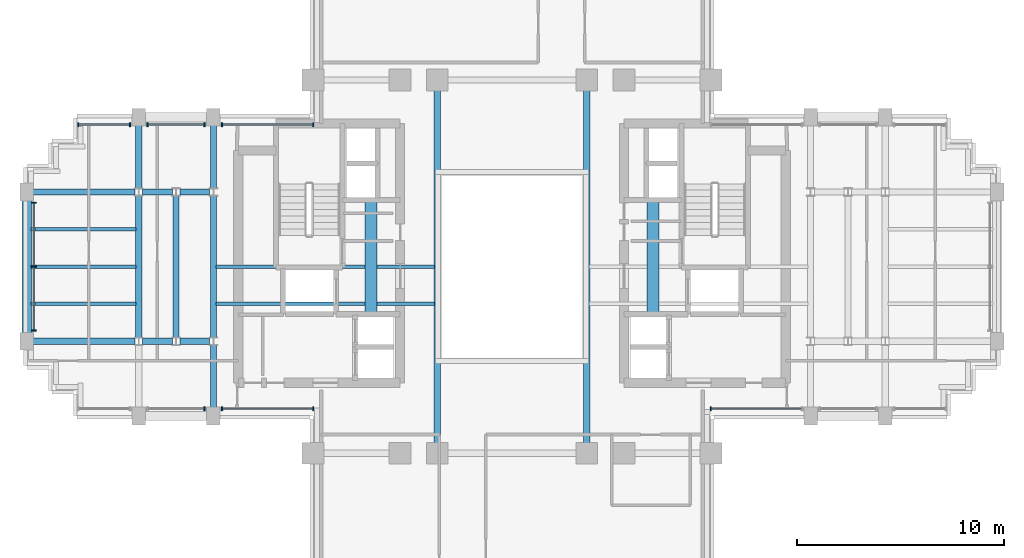
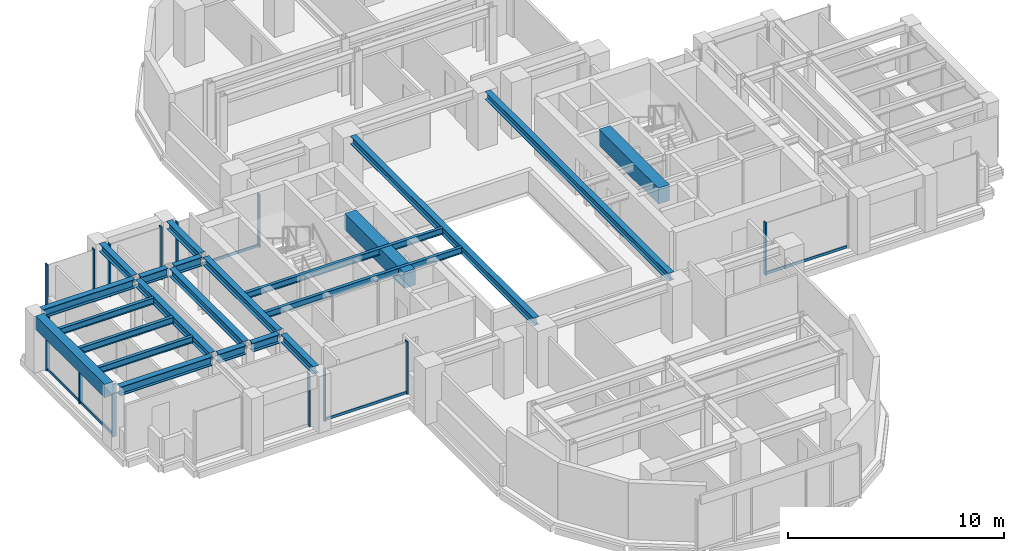
# One storey, part 4 of 14: 22 beams, 20 members, 7 elements without a shape of their own.
"""IFC4 building model written with IfcOpenShell, lengths in metres."""

from ifc_helpers import new_model, si_unit, direction, frame, origin, origin_2d, place, context, subcontext, project, spatial, rectangle, i_section, extrude, source, transform, mapped, material, material_profile, profile_set, type_object, element, aggregate, save


model = new_model("IFC4")

# Units and contexts
model_context = context("Model", 3, precision=1e-05, world=origin(), true_north=direction((0.0, 1.0)))
body_context = subcontext(model_context, "Body", "Model", "MODEL_VIEW")
ifc_project = project(units=[si_unit("LENGTHUNIT", "METRE"), si_unit("AREAUNIT", "SQUARE_METRE"), si_unit("VOLUMEUNIT", "CUBIC_METRE"), si_unit("PLANEANGLEUNIT", "RADIAN"), si_unit("MASSUNIT", "GRAM", prefix="KILO")], contexts=[model_context])

# Site, building, storey
site_placement = place(None, origin())
site = spatial("IfcSite", under=ifc_project, at=site_placement, CompositionType="ELEMENT")
building_placement = place(site_placement, origin())
building = spatial("IfcBuilding", under=site, at=building_placement, Name="Keilestroom Media Tower", CompositionType="ELEMENT")
storey_placement = place(building_placement, frame((0.0, 0.0, 124.39990234375)))
storey = spatial("IfcBuildingStorey", under=building, at=storey_placement, Name="L33", CompositionType="ELEMENT", Elevation=124.39990234375)

# Beams
ifc_material_1 = material(Name="Concrete C70/85", Category="concrete")
ifc_material_profile_1 = material_profile(ifc_material_1, rectangle(XDim=0.60009765625, YDim=0.89990234375, at=origin_2d()), Name="RC 600x900")
ifc_profile_set_1 = profile_set([ifc_material_profile_1], Name="Concrete C70/85")
beam_type_1 = type_object("IfcBeamType", Name="Core-Coupling-Lintel-Beam-RC-600x900", PredefinedType="LINTEL", material=ifc_profile_set_1)
shared_shape_1 = source(origin(), body_context, "Body", "SweptSolid", [
    extrude(rectangle(XDim=0.60009765625, YDim=0.89990234375, at=origin_2d()), origin(), (0.0, 0.0, 1.0), 5.52001953125),
])
for number, where, z_axis, x_axis, name in (
    (1, (-6.800048828125, -2.300048828125, 2.75), (0.0, 1.0, 0.0), (-1.0, 0.0, 0.0), "L33 Beam CLB-1 CLB-L33-W"),
    (2, (6.800048828125, -2.300048828125, 2.75), (0.0, 1.0, 0.0), (-1.0, 0.0, 0.0), "L33 Beam CLB-1 CLB-L33-E"),
):
    element("IfcBeam", number, at=place(storey_placement, frame(where, z_axis=z_axis, x_axis=x_axis)), inside=storey, type_object=beam_type_1, Name=name, PredefinedType="LINTEL", context=body_context, shape_type="MappedRepresentation", body=[
        mapped(shared_shape_1, transform((0.0, 0.0, 0.0), x_axis=(1.0, 0.0, 0.0), y_axis=(0.0, 1.0, 0.0), z_axis=(0.0, 0.0, 1.0), scale=1.0)),
    ])
ifc_material_2 = material(Name="Steel S355", Category="steel")
ifc_material_profile_2 = material_profile(ifc_material_2, i_section(OverallWidth=0.169921875, OverallDepth=0.360107421875, WebThickness=0.008056640625, FlangeThickness=0.0126953125, at=origin_2d()), Name="IPE 360")
ifc_profile_set_2 = profile_set([ifc_material_profile_2], Name="Steel S355")
beam_type_2 = type_object("IfcBeamType", Name="Secondary-Floor-Joist-IPE-360", PredefinedType="JOIST", material=ifc_profile_set_2)
shared_shape_2 = source(origin(), body_context, "Body", "SweptSolid", [
    extrude(i_section(OverallWidth=0.169921875, OverallDepth=0.360107421875, WebThickness=0.008056640625, FlangeThickness=0.0126953125, at=origin_2d()), origin(), (0.0, 0.0, 1.0), 10.5400390625),
])
for number, where, z_axis, x_axis, name in (
    (3, (-14.27001953125, -1.800048828125, 3.02001953125), (1.0, 0.0, 0.0), (0.0, 1.0, 0.0), "L33 Beam BJ-5 JST-L33-072"),
    (4, (-14.27001953125, 0.0, 3.02001953125), (1.0, 0.0, 0.0), (0.0, 1.0, 0.0), "L33 Beam BJ-5 JST-L33-077"),
):
    element("IfcBeam", number, at=place(storey_placement, frame(where, z_axis=z_axis, x_axis=x_axis)), inside=storey, type_object=beam_type_2, Name=name, PredefinedType="JOIST", context=body_context, shape_type="MappedRepresentation", body=[
        mapped(shared_shape_2, transform((0.0, 0.0, 0.0), x_axis=(1.0, 0.0, 0.0), y_axis=(0.0, 1.0, 0.0), z_axis=(0.0, 0.0, 1.0), scale=1.0)),
    ])
ifc_material_profile_3 = material_profile(ifc_material_2, i_section(OverallWidth=0.300048828125, OverallDepth=0.5, WebThickness=0.012451171875, FlangeThickness=0.028076171875, at=origin_2d()), Name="HEB 500")
ifc_profile_set_3 = profile_set([ifc_material_profile_3], Name="Steel S355")
beam_type_3 = type_object("IfcBeamType", Name="Primary-Structural-Girder-HEB-500", PredefinedType="BEAM", material=ifc_profile_set_3)
shared_shape_3 = source(origin(), body_context, "Body", "SweptSolid", [
    extrude(i_section(OverallWidth=0.300048828125, OverallDepth=0.5, WebThickness=0.012451171875, FlangeThickness=0.028076171875, at=origin_2d()), origin(), (0.0, 0.0, 1.0), 4.91455078125),
])
for number, where, z_axis, x_axis, name in (
    (5, (-23.094970703125, -3.60009765625, 2.9501953125), (1.0, 0.0, 0.0), (0.0, 1.0, 0.0), "L33 Beam BG-6 BM-L33-EW-014"),
    (6, (-23.094970703125, 3.60009765625, 2.9501953125), (1.0, 0.0, 0.0), (0.0, 1.0, 0.0), "L33 Beam BG-6 BM-L33-EW-020"),
):
    element("IfcBeam", number, at=place(storey_placement, frame(where, z_axis=z_axis, x_axis=x_axis)), inside=storey, type_object=beam_type_3, Name=name, PredefinedType="BEAM", context=body_context, shape_type="MappedRepresentation", body=[
        mapped(shared_shape_3, transform((0.0, 0.0, 0.0), x_axis=(1.0, 0.0, 0.0), y_axis=(0.0, 1.0, 0.0), z_axis=(0.0, 0.0, 1.0), scale=1.0)),
    ])
shared_shape_4 = source(origin(), body_context, "Body", "SweptSolid", [
    extrude(i_section(OverallWidth=0.300048828125, OverallDepth=0.5, WebThickness=0.012451171875, FlangeThickness=0.028076171875, at=origin_2d()), origin(), (0.0, 0.0, 1.0), 1.43896484375),
])
for number, where, z_axis, x_axis, name in (
    (7, (-17.819580078125, -3.60009765625, 2.9501953125), (1.0, 0.0, 0.0), (0.0, 1.0, 0.0), "L33 Beam BG-6 BM-L33-EW-015"),
    (8, (-16.01953125, -3.60009765625, 2.9501953125), (1.0, 0.0, 0.0), (0.0, 1.0, 0.0), "L33 Beam BG-6 BM-L33-EW-016"),
    (9, (-17.819580078125, 3.60009765625, 2.9501953125), (1.0, 0.0, 0.0), (0.0, 1.0, 0.0), "L33 Beam BG-6 BM-L33-EW-021"),
    (10, (-16.01953125, 3.60009765625, 2.9501953125), (1.0, 0.0, 0.0), (0.0, 1.0, 0.0), "L33 Beam BG-6 BM-L33-EW-022"),
):
    element("IfcBeam", number, at=place(storey_placement, frame(where, z_axis=z_axis, x_axis=x_axis)), inside=storey, type_object=beam_type_3, Name=name, PredefinedType="BEAM", context=body_context, shape_type="MappedRepresentation", body=[
        mapped(shared_shape_4, transform((0.0, 0.0, 0.0), x_axis=(1.0, 0.0, 0.0), y_axis=(0.0, 1.0, 0.0), z_axis=(0.0, 0.0, 1.0), scale=1.0)),
    ])
ifc_material_3 = material(Name="Precast concrete C40/50", Category="concrete")
ifc_material_profile_4 = material_profile(ifc_material_3, rectangle(XDim=0.449951171875, YDim=0.75, at=origin_2d()), Name="PC 450x750")
ifc_profile_set_4 = profile_set([ifc_material_profile_4], Name="Precast concrete C40/50")
beam_type_4 = type_object("IfcBeamType", Name="Perimeter-Spandrel-Beam-PC-450x750", PredefinedType="SPANDREL", material=ifc_profile_set_4)
shared_shape_5 = source(origin(), body_context, "Body", "SweptSolid", [
    extrude(rectangle(XDim=0.449951171875, YDim=0.75, at=origin_2d()), origin(), (0.0, 0.0, 1.0), 6.39013671875),
])
beam_placement = place(storey_placement, frame((-23.39990234375, -3.195068359375, 2.8251953125), z_axis=(0.0, 1.0, 0.0), x_axis=(-1.0, 0.0, 0.0)))
element("IfcBeam", 11, at=beam_placement, inside=storey, type_object=beam_type_4, Name="L33 Beam SPB-1 BM-L33-NS-039", PredefinedType="SPANDREL", context=body_context, shape_type="MappedRepresentation", body=[
    mapped(shared_shape_5, transform((0.0, 0.0, 0.0), x_axis=(1.0, 0.0, 0.0), y_axis=(0.0, 1.0, 0.0), z_axis=(0.0, 0.0, 1.0), scale=1.0)),
])
shared_shape_6 = source(origin(), body_context, "Body", "SweptSolid", [
    extrude(i_section(OverallWidth=0.169921875, OverallDepth=0.360107421875, WebThickness=0.008056640625, FlangeThickness=0.0126953125, at=origin_2d()), origin(), (0.0, 0.0, 1.0), 5.065185546875),
])
for number, where, z_axis, x_axis, name in (
    (12, (-23.195068359375, -1.800048828125, 3.02001953125), (1.0, 0.0, 0.0), (0.0, 1.0, 0.0), "L33 Beam BJ-5 JST-L33-071"),
    (13, (-23.195068359375, 0.0, 3.02001953125), (1.0, 0.0, 0.0), (0.0, 1.0, 0.0), "L33 Beam BJ-5 JST-L33-076"),
    (14, (-23.195068359375, 1.800048828125, 3.02001953125), (1.0, 0.0, 0.0), (0.0, 1.0, 0.0), "L33 Beam BJ-5 JST-L33-081"),
):
    element("IfcBeam", number, at=place(storey_placement, frame(where, z_axis=z_axis, x_axis=x_axis)), inside=storey, type_object=beam_type_2, Name=name, PredefinedType="JOIST", context=body_context, shape_type="MappedRepresentation", body=[
        mapped(shared_shape_6, transform((0.0, 0.0, 0.0), x_axis=(1.0, 0.0, 0.0), y_axis=(0.0, 1.0, 0.0), z_axis=(0.0, 0.0, 1.0), scale=1.0)),
    ])
ifc_material_profile_5 = material_profile(ifc_material_2, i_section(OverallWidth=0.300048828125, OverallDepth=0.43994140625, WebThickness=0.011474609375, FlangeThickness=0.02099609375, at=origin_2d()), Name="HEA 450")
ifc_profile_set_5 = profile_set([ifc_material_profile_5], Name="Steel S355")
beam_type_5 = type_object("IfcBeamType", Name="Primary-Structural-Girder-HEA-450", PredefinedType="BEAM", material=ifc_profile_set_5)
shared_shape_7 = source(origin(), body_context, "Body", "SweptSolid", [
    extrude(i_section(OverallWidth=0.300048828125, OverallDepth=0.43994140625, WebThickness=0.011474609375, FlangeThickness=0.02099609375, at=origin_2d()), origin(), (0.0, 0.0, 1.0), 3.015380859375),
])
for number, where, z_axis, x_axis, name in (
    (15, (-18.0, 3.779541015625, 2.97998046875), (0.0, 1.0, 0.0), (-1.0, 0.0, 0.0), "L33 Beam BG-11 BM-L33-NS-042"),
    (16, (-14.39990234375, -6.794921875, 2.97998046875), (0.0, 1.0, 0.0), (-1.0, 0.0, 0.0), "L33 Beam BG-11 BM-L33-NS-044"),
    (17, (-14.39990234375, 3.779541015625, 2.97998046875), (0.0, 1.0, 0.0), (-1.0, 0.0, 0.0), "L33 Beam BG-11 BM-L33-NS-046"),
):
    element("IfcBeam", number, at=place(storey_placement, frame(where, z_axis=z_axis, x_axis=x_axis)), inside=storey, type_object=beam_type_5, Name=name, PredefinedType="BEAM", context=body_context, shape_type="MappedRepresentation", body=[
        mapped(shared_shape_7, transform((0.0, 0.0, 0.0), x_axis=(1.0, 0.0, 0.0), y_axis=(0.0, 1.0, 0.0), z_axis=(0.0, 0.0, 1.0), scale=1.0)),
    ])
shared_shape_8 = source(origin(), body_context, "Body", "SweptSolid", [
    extrude(i_section(OverallWidth=0.300048828125, OverallDepth=0.43994140625, WebThickness=0.011474609375, FlangeThickness=0.02099609375, at=origin_2d()), origin(), (0.0, 0.0, 1.0), 6.8408203125),
])
for number, where, z_axis, x_axis, name in (
    (18, (-18.0, -3.42041015625, 2.97998046875), (0.0, 1.0, 0.0), (-1.0, 0.0, 0.0), "L33 Beam BG-11 BM-L33-NS-041"),
    (19, (-16.199951171875, -3.42041015625, 2.97998046875), (0.0, 1.0, 0.0), (-1.0, 0.0, 0.0), "L33 Beam BG-11 BM-L33-NS-043"),
    (20, (-14.39990234375, -3.42041015625, 2.97998046875), (0.0, 1.0, 0.0), (-1.0, 0.0, 0.0), "L33 Beam BG-11 BM-L33-NS-045"),
):
    element("IfcBeam", number, at=place(storey_placement, frame(where, z_axis=z_axis, x_axis=x_axis)), inside=storey, type_object=beam_type_5, Name=name, PredefinedType="BEAM", context=body_context, shape_type="MappedRepresentation", body=[
        mapped(shared_shape_8, transform((0.0, 0.0, 0.0), x_axis=(1.0, 0.0, 0.0), y_axis=(0.0, 1.0, 0.0), z_axis=(0.0, 0.0, 1.0), scale=1.0)),
    ])
shared_shape_9 = source(origin(), body_context, "Body", "SweptSolid", [
    extrude(i_section(OverallWidth=0.300048828125, OverallDepth=0.43994140625, WebThickness=0.011474609375, FlangeThickness=0.02099609375, at=origin_2d()), origin(), (0.0, 0.0, 1.0), 16.990234375),
])
for number, where, z_axis, x_axis, name in (
    (21, (-3.60009765625, -8.4951171875, 2.97998046875), (0.0, 1.0, 0.0), (-1.0, 0.0, 0.0), "L33 Beam BG-11 BM-L33-NS-051"),
    (22, (3.60009765625, -8.4951171875, 2.97998046875), (0.0, 1.0, 0.0), (-1.0, 0.0, 0.0), "L33 Beam BG-11 BM-L33-NS-056"),
):
    element("IfcBeam", number, at=place(storey_placement, frame(where, z_axis=z_axis, x_axis=x_axis)), inside=storey, type_object=beam_type_5, Name=name, PredefinedType="BEAM", context=body_context, shape_type="MappedRepresentation", body=[
        mapped(shared_shape_9, transform((0.0, 0.0, 0.0), x_axis=(1.0, 0.0, 0.0), y_axis=(0.0, 1.0, 0.0), z_axis=(0.0, 0.0, 1.0), scale=1.0)),
    ])

# Curtain wall, members
ifc_material_4 = material(Name="Anodised Aluminium Alloy", Category="aluminium")
curtain_wall_type = type_object("IfcCurtainWallType", Name="Unitised-Curtain-Wall-CW-2", PredefinedType="NOTDEFINED", material=ifc_material_4)
curtain_wall_1_placement = place(storey_placement, origin())
curtain_wall_1 = element("IfcCurtainWall", 23, at=curtain_wall_1_placement, inside=storey, type_object=curtain_wall_type, Name="L33 Curtain Wall CW-2 CW-L33-W-1", PredefinedType="NOTDEFINED")
ifc_material_profile_6 = material_profile(ifc_material_4, rectangle(XDim=0.070068359375, YDim=0.199951171875, at=origin_2d()), Name="ALU MULLION 70x200")
ifc_profile_set_6 = profile_set([ifc_material_profile_6], Name="Anodised Aluminium Alloy")
member_type_1 = type_object("IfcMemberType", Name="Curtain-Wall-Mullion-CW-2", PredefinedType="MULLION", material=ifc_profile_set_6)
shared_shape_10 = source(origin(), body_context, "Body", "SweptSolid", [
    extrude(rectangle(XDim=0.070068359375, YDim=0.199951171875, at=origin_2d()), origin(), (0.0, 0.0, 1.0), 2.97998046875),
])
member_1_placement = place(storey_placement, frame((-23.050048828125, -3.080078125, 0.0), z_axis=(0.0, 0.0, 1.0), x_axis=(0.0, 1.0, 0.0)))
member_1 = element("IfcMember", 24, at=member_1_placement, type_object=member_type_1, Name="CW-2 Mullion 00", PredefinedType="MULLION", context=body_context, shape_type="MappedRepresentation", body=[
    mapped(shared_shape_10, transform((0.0, 0.0, 0.0), x_axis=(1.0, 0.0, 0.0), y_axis=(0.0, 1.0, 0.0), z_axis=(0.0, 0.0, 1.0), scale=1.0)),
])
member_2_placement = place(storey_placement, frame((-23.050048828125, 0.0, 0.0), z_axis=(0.0, 0.0, 1.0), x_axis=(0.0, 1.0, 0.0)))
member_2 = element("IfcMember", 25, at=member_2_placement, type_object=member_type_1, Name="CW-2 Mullion 01", PredefinedType="MULLION", context=body_context, shape_type="MappedRepresentation", body=[
    mapped(shared_shape_10, transform((0.0, 0.0, 0.0), x_axis=(1.0, 0.0, 0.0), y_axis=(0.0, 1.0, 0.0), z_axis=(0.0, 0.0, 1.0), scale=1.0)),
])
member_3_placement = place(storey_placement, frame((-23.050048828125, 3.080078125, 0.0), z_axis=(0.0, 0.0, 1.0), x_axis=(0.0, 1.0, 0.0)))
member_3 = element("IfcMember", 26, at=member_3_placement, type_object=member_type_1, Name="CW-2 Mullion 02", PredefinedType="MULLION", context=body_context, shape_type="MappedRepresentation", body=[
    mapped(shared_shape_10, transform((0.0, 0.0, 0.0), x_axis=(1.0, 0.0, 0.0), y_axis=(0.0, 1.0, 0.0), z_axis=(0.0, 0.0, 1.0), scale=1.0)),
])

curtain_wall_2_placement = place(storey_placement, origin())
curtain_wall_2 = element("IfcCurtainWall", 27, at=curtain_wall_2_placement, inside=storey, type_object=curtain_wall_type, Name="L33 Curtain Wall CW-2 CW-L33-NW-1", PredefinedType="NOTDEFINED")
member_4_placement = place(storey_placement, frame((-20.9150390625, 6.85009765625, 0.0), z_axis=(0.0, 0.0, 1.0), x_axis=(1.0, 0.0, 0.0)))
member_4 = element("IfcMember", 28, at=member_4_placement, type_object=member_type_1, Name="CW-2 Mullion 00", PredefinedType="MULLION", context=body_context, shape_type="MappedRepresentation", body=[
    mapped(shared_shape_10, transform((0.0, 0.0, 0.0), x_axis=(1.0, 0.0, 0.0), y_axis=(0.0, 1.0, 0.0), z_axis=(0.0, 0.0, 1.0), scale=1.0)),
])
member_5_placement = place(storey_placement, frame((-18.419921875, 6.85009765625, 0.0), z_axis=(0.0, 0.0, 1.0), x_axis=(1.0, 0.0, 0.0)))
member_5 = element("IfcMember", 29, at=member_5_placement, type_object=member_type_1, Name="CW-2 Mullion 01", PredefinedType="MULLION", context=body_context, shape_type="MappedRepresentation", body=[
    mapped(shared_shape_10, transform((0.0, 0.0, 0.0), x_axis=(1.0, 0.0, 0.0), y_axis=(0.0, 1.0, 0.0), z_axis=(0.0, 0.0, 1.0), scale=1.0)),
])

curtain_wall_3_placement = place(storey_placement, origin())
curtain_wall_3 = element("IfcCurtainWall", 30, at=curtain_wall_3_placement, inside=storey, type_object=curtain_wall_type, Name="L33 Curtain Wall CW-2 CW-L33-NW-2", PredefinedType="NOTDEFINED")
member_6_placement = place(storey_placement, frame((-17.580078125, 6.85009765625, 0.0), z_axis=(0.0, 0.0, 1.0), x_axis=(1.0, 0.0, 0.0)))
member_6 = element("IfcMember", 31, at=member_6_placement, type_object=member_type_1, Name="CW-2 Mullion 00", PredefinedType="MULLION", context=body_context, shape_type="MappedRepresentation", body=[
    mapped(shared_shape_10, transform((0.0, 0.0, 0.0), x_axis=(1.0, 0.0, 0.0), y_axis=(0.0, 1.0, 0.0), z_axis=(0.0, 0.0, 1.0), scale=1.0)),
])
member_7_placement = place(storey_placement, frame((-14.820068359375, 6.85009765625, 0.0), z_axis=(0.0, 0.0, 1.0), x_axis=(1.0, 0.0, 0.0)))
member_7 = element("IfcMember", 32, at=member_7_placement, type_object=member_type_1, Name="CW-2 Mullion 01", PredefinedType="MULLION", context=body_context, shape_type="MappedRepresentation", body=[
    mapped(shared_shape_10, transform((0.0, 0.0, 0.0), x_axis=(1.0, 0.0, 0.0), y_axis=(0.0, 1.0, 0.0), z_axis=(0.0, 0.0, 1.0), scale=1.0)),
])

curtain_wall_4_placement = place(storey_placement, origin())
curtain_wall_4 = element("IfcCurtainWall", 33, at=curtain_wall_4_placement, inside=storey, type_object=curtain_wall_type, Name="L33 Curtain Wall CW-2 CW-L33-NW-3", PredefinedType="NOTDEFINED")
member_8_placement = place(storey_placement, frame((-13.97998046875, 6.85009765625, 0.0), z_axis=(0.0, 0.0, 1.0), x_axis=(1.0, 0.0, 0.0)))
member_8 = element("IfcMember", 34, at=member_8_placement, type_object=member_type_1, Name="CW-2 Mullion 00", PredefinedType="MULLION", context=body_context, shape_type="MappedRepresentation", body=[
    mapped(shared_shape_10, transform((0.0, 0.0, 0.0), x_axis=(1.0, 0.0, 0.0), y_axis=(0.0, 1.0, 0.0), z_axis=(0.0, 0.0, 1.0), scale=1.0)),
])
member_9_placement = place(storey_placement, frame((-9.5849609375, 6.85009765625, 0.0), z_axis=(0.0, 0.0, 1.0), x_axis=(1.0, 0.0, 0.0)))
member_9 = element("IfcMember", 35, at=member_9_placement, type_object=member_type_1, Name="CW-2 Mullion 01", PredefinedType="MULLION", context=body_context, shape_type="MappedRepresentation", body=[
    mapped(shared_shape_10, transform((0.0, 0.0, 0.0), x_axis=(1.0, 0.0, 0.0), y_axis=(0.0, 1.0, 0.0), z_axis=(0.0, 0.0, 1.0), scale=1.0)),
])

# Curtain wall, member
curtain_wall_5_placement = place(storey_placement, origin())
curtain_wall_5 = element("IfcCurtainWall", 36, at=curtain_wall_5_placement, inside=storey, type_object=curtain_wall_type, Name="L33 Curtain Wall CW-2 CW-L33-SW-2", PredefinedType="NOTDEFINED")
member_10_placement = place(storey_placement, frame((-14.820068359375, -6.85009765625, 0.0), z_axis=(0.0, 0.0, 1.0), x_axis=(1.0, 0.0, 0.0)))
member_10 = element("IfcMember", 37, at=member_10_placement, type_object=member_type_1, Name="CW-2 Mullion 01", PredefinedType="MULLION", context=body_context, shape_type="MappedRepresentation", body=[
    mapped(shared_shape_10, transform((0.0, 0.0, 0.0), x_axis=(1.0, 0.0, 0.0), y_axis=(0.0, 1.0, 0.0), z_axis=(0.0, 0.0, 1.0), scale=1.0)),
])
aggregate(curtain_wall_5, [member_10])

# Curtain wall, members
curtain_wall_6_placement = place(storey_placement, origin())
curtain_wall_6 = element("IfcCurtainWall", 38, at=curtain_wall_6_placement, inside=storey, type_object=curtain_wall_type, Name="L33 Curtain Wall CW-2 CW-L33-SW-3", PredefinedType="NOTDEFINED")
member_11_placement = place(storey_placement, frame((-13.97998046875, -6.85009765625, 0.0), z_axis=(0.0, 0.0, 1.0), x_axis=(1.0, 0.0, 0.0)))
member_11 = element("IfcMember", 39, at=member_11_placement, type_object=member_type_1, Name="CW-2 Mullion 00", PredefinedType="MULLION", context=body_context, shape_type="MappedRepresentation", body=[
    mapped(shared_shape_10, transform((0.0, 0.0, 0.0), x_axis=(1.0, 0.0, 0.0), y_axis=(0.0, 1.0, 0.0), z_axis=(0.0, 0.0, 1.0), scale=1.0)),
])
member_12_placement = place(storey_placement, frame((-9.5849609375, -6.85009765625, 0.0), z_axis=(0.0, 0.0, 1.0), x_axis=(1.0, 0.0, 0.0)))
member_12 = element("IfcMember", 40, at=member_12_placement, type_object=member_type_1, Name="CW-2 Mullion 01", PredefinedType="MULLION", context=body_context, shape_type="MappedRepresentation", body=[
    mapped(shared_shape_10, transform((0.0, 0.0, 0.0), x_axis=(1.0, 0.0, 0.0), y_axis=(0.0, 1.0, 0.0), z_axis=(0.0, 0.0, 1.0), scale=1.0)),
])

# Curtain wall, member
curtain_wall_7_placement = place(storey_placement, origin())
curtain_wall_7 = element("IfcCurtainWall", 41, at=curtain_wall_7_placement, inside=storey, type_object=curtain_wall_type, Name="L33 Curtain Wall CW-2 CW-L33-SE-1", PredefinedType="NOTDEFINED")
member_13_placement = place(storey_placement, frame((9.5849609375, -6.85009765625, 0.0), z_axis=(0.0, 0.0, 1.0), x_axis=(1.0, 0.0, 0.0)))
member_13 = element("IfcMember", 42, at=member_13_placement, type_object=member_type_1, Name="CW-2 Mullion 00", PredefinedType="MULLION", context=body_context, shape_type="MappedRepresentation", body=[
    mapped(shared_shape_10, transform((0.0, 0.0, 0.0), x_axis=(1.0, 0.0, 0.0), y_axis=(0.0, 1.0, 0.0), z_axis=(0.0, 0.0, 1.0), scale=1.0)),
])

# Member
ifc_material_profile_7 = material_profile(ifc_material_4, rectangle(XDim=0.06494140625, YDim=0.14990234375, at=origin_2d()), Name="ALU TRANSOM 65x150")
ifc_profile_set_7 = profile_set([ifc_material_profile_7], Name="Anodised Aluminium Alloy")
member_type_2 = type_object("IfcMemberType", Name="Curtain-Wall-Transom-CW-2", PredefinedType="USERDEFINED", material=ifc_profile_set_7)
shared_shape_11 = source(origin(), body_context, "Body", "SweptSolid", [
    extrude(rectangle(XDim=0.06494140625, YDim=0.14990234375, at=origin_2d()), origin(), (0.0, 0.0, 1.0), 2.42919921875),
])
member_14_placement = place(storey_placement, frame((-20.882080078125, 6.85009765625, 0.0751953125), z_axis=(1.0, 0.0, 0.0), x_axis=(0.0, 1.0, 0.0)))
member_14 = element("IfcMember", 43, at=member_14_placement, type_object=member_type_2, Name="CW-2 Transom 00.1", ObjectType="TRANSOM", PredefinedType="USERDEFINED", context=body_context, shape_type="MappedRepresentation", body=[
    mapped(shared_shape_11, transform((0.0, 0.0, 0.0), x_axis=(1.0, 0.0, 0.0), y_axis=(0.0, 1.0, 0.0), z_axis=(0.0, 0.0, 1.0), scale=1.0)),
])

aggregate(curtain_wall_2, [member_4, member_5, member_14])

shared_shape_12 = source(origin(), body_context, "Body", "SweptSolid", [
    extrude(rectangle(XDim=0.06494140625, YDim=0.14990234375, at=origin_2d()), origin(), (0.0, 0.0, 1.0), 2.694091796875),
])
member_15_placement = place(storey_placement, frame((-17.547119140625, 6.85009765625, 0.0751953125), z_axis=(1.0, 0.0, 0.0), x_axis=(0.0, 1.0, 0.0)))
member_15 = element("IfcMember", 44, at=member_15_placement, type_object=member_type_2, Name="CW-2 Transom 00.1", ObjectType="TRANSOM", PredefinedType="USERDEFINED", context=body_context, shape_type="MappedRepresentation", body=[
    mapped(shared_shape_12, transform((0.0, 0.0, 0.0), x_axis=(1.0, 0.0, 0.0), y_axis=(0.0, 1.0, 0.0), z_axis=(0.0, 0.0, 1.0), scale=1.0)),
])

aggregate(curtain_wall_3, [member_6, member_7, member_15])

shared_shape_13 = source(origin(), body_context, "Body", "SweptSolid", [
    extrude(rectangle(XDim=0.06494140625, YDim=0.14990234375, at=origin_2d()), origin(), (0.0, 0.0, 1.0), 4.3291015625),
])
member_16_placement = place(storey_placement, frame((-13.947021484375, 6.85009765625, 0.0751953125), z_axis=(1.0, 0.0, 0.0), x_axis=(0.0, 1.0, 0.0)))
member_16 = element("IfcMember", 45, at=member_16_placement, type_object=member_type_2, Name="CW-2 Transom 00.1", ObjectType="TRANSOM", PredefinedType="USERDEFINED", context=body_context, shape_type="MappedRepresentation", body=[
    mapped(shared_shape_13, transform((0.0, 0.0, 0.0), x_axis=(1.0, 0.0, 0.0), y_axis=(0.0, 1.0, 0.0), z_axis=(0.0, 0.0, 1.0), scale=1.0)),
])

aggregate(curtain_wall_4, [member_8, member_9, member_16])

member_17_placement = place(storey_placement, frame((-13.947021484375, -6.85009765625, 0.0751953125), z_axis=(1.0, 0.0, 0.0), x_axis=(0.0, 1.0, 0.0)))
member_17 = element("IfcMember", 46, at=member_17_placement, type_object=member_type_2, Name="CW-2 Transom 00.1", ObjectType="TRANSOM", PredefinedType="USERDEFINED", context=body_context, shape_type="MappedRepresentation", body=[
    mapped(shared_shape_13, transform((0.0, 0.0, 0.0), x_axis=(1.0, 0.0, 0.0), y_axis=(0.0, 1.0, 0.0), z_axis=(0.0, 0.0, 1.0), scale=1.0)),
])

aggregate(curtain_wall_6, [member_11, member_12, member_17])

member_18_placement = place(storey_placement, frame((9.617919921875, -6.85009765625, 0.0751953125), z_axis=(1.0, 0.0, 0.0), x_axis=(0.0, 1.0, 0.0)))
member_18 = element("IfcMember", 47, at=member_18_placement, type_object=member_type_2, Name="CW-2 Transom 00.1", ObjectType="TRANSOM", PredefinedType="USERDEFINED", context=body_context, shape_type="MappedRepresentation", body=[
    mapped(shared_shape_13, transform((0.0, 0.0, 0.0), x_axis=(1.0, 0.0, 0.0), y_axis=(0.0, 1.0, 0.0), z_axis=(0.0, 0.0, 1.0), scale=1.0)),
])

aggregate(curtain_wall_7, [member_13, member_18])

shared_shape_14 = source(origin(), body_context, "Body", "SweptSolid", [
    extrude(rectangle(XDim=0.06494140625, YDim=0.14990234375, at=origin_2d()), origin(), (0.0, 0.0, 1.0), 3.01416015625),
])
member_19_placement = place(storey_placement, frame((-23.050048828125, -3.047119140625, 0.0751953125), z_axis=(0.0, 1.0, 0.0), x_axis=(-1.0, 0.0, 0.0)))
member_19 = element("IfcMember", 48, at=member_19_placement, type_object=member_type_2, Name="CW-2 Transom 00.1", ObjectType="TRANSOM", PredefinedType="USERDEFINED", context=body_context, shape_type="MappedRepresentation", body=[
    mapped(shared_shape_14, transform((0.0, 0.0, 0.0), x_axis=(1.0, 0.0, 0.0), y_axis=(0.0, 1.0, 0.0), z_axis=(0.0, 0.0, 1.0), scale=1.0)),
])

member_20_placement = place(storey_placement, frame((-23.050048828125, 0.032958984375, 0.0751953125), z_axis=(0.0, 1.0, 0.0), x_axis=(-1.0, 0.0, 0.0)))
member_20 = element("IfcMember", 49, at=member_20_placement, type_object=member_type_2, Name="CW-2 Transom 01.1", ObjectType="TRANSOM", PredefinedType="USERDEFINED", context=body_context, shape_type="MappedRepresentation", body=[
    mapped(shared_shape_14, transform((0.0, 0.0, 0.0), x_axis=(1.0, 0.0, 0.0), y_axis=(0.0, 1.0, 0.0), z_axis=(0.0, 0.0, 1.0), scale=1.0)),
])

aggregate(curtain_wall_1, [member_1, member_2, member_3, member_19, member_20])

save(model, "model.ifc")
